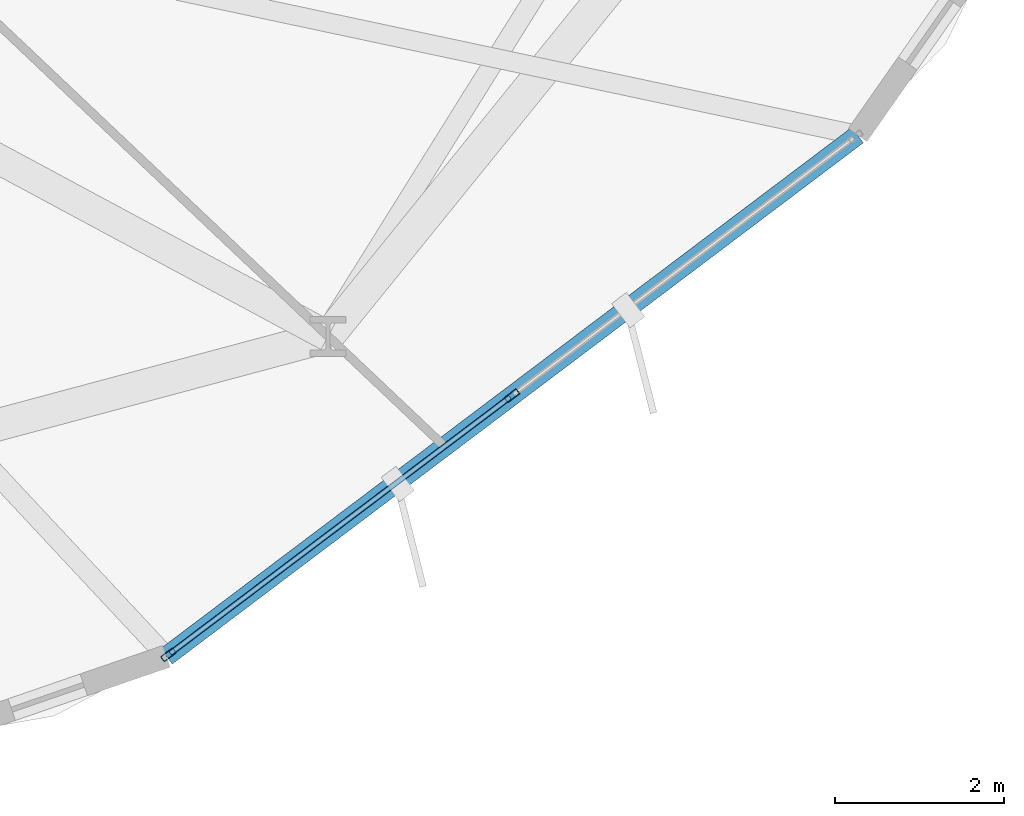
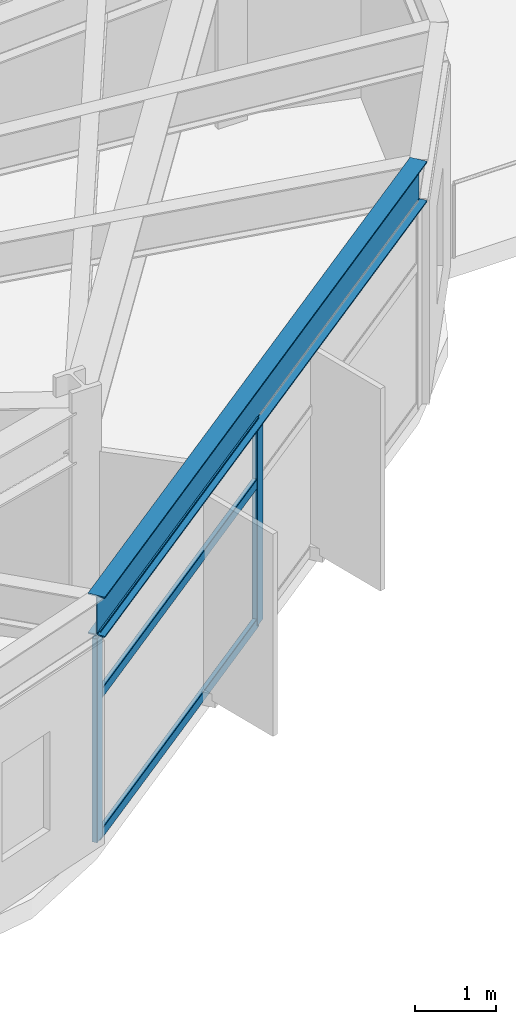
# One storey, part 6 of 23: 5 members, 1 beam, 1 element without a shape of its own.
"""IFC4 building model written with IfcOpenShell, lengths in metres."""

from ifc_helpers import new_model, si_unit, direction, frame, origin, origin_2d, place, context, subcontext, project, spatial, hollow_rectangle, i_section, extrude, material, layer, layer_set, material_profile, profile_set, type_object, element, aggregate, save


model = new_model("IFC4")

# Units and contexts
model_context = context("Model", 3, precision=1e-05, world=origin(), true_north=direction((0.0, 1.0)))
body_context = subcontext(model_context, "Body", "Model", "MODEL_VIEW")
ifc_project = project(units=[si_unit("LENGTHUNIT", "METRE"), si_unit("AREAUNIT", "SQUARE_METRE"), si_unit("VOLUMEUNIT", "CUBIC_METRE"), si_unit("PLANEANGLEUNIT", "RADIAN"), si_unit("MASSUNIT", "GRAM", prefix="KILO")], contexts=[model_context])

# Site, building, storey
site_placement = place(None, origin())
site = spatial("IfcSite", under=ifc_project, at=site_placement, CompositionType="ELEMENT")
building_placement = place(site_placement, origin())
building = spatial("IfcBuilding", under=site, at=building_placement, Name="Soratama Intermodal Tower", CompositionType="ELEMENT")
storey_placement = place(building_placement, frame((0.0, 0.0, 30.60009765625)))
storey = spatial("IfcBuildingStorey", under=building, at=storey_placement, Name="L06", CompositionType="ELEMENT", Elevation=30.60009765625)

# Beam
ifc_material_1 = material(Name="Structural steel ASTM A992 Grade 50", Category="steel")
ifc_material_profile_1 = material_profile(ifc_material_1, i_section(OverallWidth=0.22900390625, OverallDepth=0.612060546875, WebThickness=0.011962890625, FlangeThickness=0.01953125, FilletRadius=0.012939453125, at=origin_2d()), Name="W24X84")
ifc_profile_set_1 = profile_set([ifc_material_profile_1], Name="Structural steel ASTM A992 Grade 50")
beam_type = type_object("IfcBeamType", Name="BM-SPN-W24X84", PredefinedType="SPANDREL", material=ifc_profile_set_1)
beam_placement = place(storey_placement, frame((53.284912109375, 5.51806640625, 3.393798828125), z_axis=(0.798404955158, 0.602120857951, 0.0), x_axis=(-0.602120857951, 0.798404955158, 0.0)))
element("IfcBeam", 1, at=beam_placement, inside=storey, type_object=beam_type, Name="BS-L06-F09", PredefinedType="SPANDREL", context=body_context, shape_type="SweptSolid", body=[
    extrude(i_section(OverallWidth=0.22900390625, OverallDepth=0.612060546875, WebThickness=0.011962890625, FlangeThickness=0.01953125, FilletRadius=0.012939453125, at=origin_2d()), origin(), (0.0, 0.0, 1.0), 10.23046875),
])

# Curtain wall, members
ifc_material_2 = material(Name="Double-glazed aluminium curtain wall", Category="aluminium")
ifc_layer = layer(ifc_material_2, 0.159912109375)
ifc_layer_set = layer_set([ifc_layer], Name="Double-glazed aluminium curtain wall")
curtain_wall_type = type_object("IfcCurtainWallType", Name="CW-SYS-2", PredefinedType="NOTDEFINED", material=ifc_layer_set)
curtain_wall_placement = place(storey_placement, origin())
curtain_wall = element("IfcCurtainWall", 2, at=curtain_wall_placement, inside=storey, type_object=curtain_wall_type, Name="L06 Faceted Curtain Wall F09", PredefinedType="NOTDEFINED")
ifc_material_3 = material(Name="Anodised aluminium AA 6063-T6", Category="aluminium")
ifc_material_profile_2 = material_profile(ifc_material_3, hollow_rectangle(XDim=0.074951171875, YDim=0.179931640625, WallThickness=0.006103515625, InnerFilletRadius=0.006103515625, OuterFilletRadius=0.011962890625, at=origin_2d()), Name="CWM180X75X6")
ifc_profile_set_2 = profile_set([ifc_material_profile_2], Name="Anodised aluminium AA 6063-T6")
member_type_1 = type_object("IfcMemberType", Name="MT-CWM-2", PredefinedType="MULLION", material=ifc_profile_set_2)
member_1_placement = place(storey_placement, frame((53.30859375, 5.536376953125, 0.0), z_axis=(0.0, 0.0, 1.0), x_axis=(-0.602090543366, 0.798427816142, 0.0)))
member_1 = element("IfcMember", 3, at=member_1_placement, type_object=member_type_1, Name="CW-2 mullion 1", PredefinedType="MULLION", context=body_context, shape_type="SweptSolid", body=[
    extrude(hollow_rectangle(XDim=0.074951171875, YDim=0.179931640625, WallThickness=0.006103515625, InnerFilletRadius=0.006103515625, OuterFilletRadius=0.011962890625, at=origin_2d()), origin(), (0.0, 0.0, 1.0), 3.078857421875),
])
member_2_placement = place(storey_placement, frame((57.36865234375, 8.59814453125, 0.0), z_axis=(0.0, 0.0, 1.0), x_axis=(-0.602090543366, 0.798427816142, 0.0)))
member_2 = element("IfcMember", 4, at=member_2_placement, type_object=member_type_1, Name="CW-2 mullion 2", PredefinedType="MULLION", context=body_context, shape_type="SweptSolid", body=[
    extrude(hollow_rectangle(XDim=0.074951171875, YDim=0.179931640625, WallThickness=0.006103515625, InnerFilletRadius=0.006103515625, OuterFilletRadius=0.011962890625, at=origin_2d()), origin(), (0.0, 0.0, 1.0), 3.078857421875),
])
ifc_material_4 = material(Name="Anodised aluminium AA 6063-T6", Category="aluminium")
ifc_material_profile_3 = material_profile(ifc_material_4, hollow_rectangle(XDim=0.06494140625, YDim=0.14990234375, WallThickness=0.0048828125, InnerFilletRadius=0.0048828125, OuterFilletRadius=0.010009765625, at=origin_2d()), Name="CWT150X65X5")
ifc_profile_set_3 = profile_set([ifc_material_profile_3], Name="Anodised aluminium AA 6063-T6")
member_type_2 = type_object("IfcMemberType", Name="TT-CWT-1", PredefinedType="USERDEFINED", material=ifc_profile_set_3)
member_3_placement = place(storey_placement, frame((53.33251953125, 5.554443359375, 0.02978515625), z_axis=(0.798423137719, 0.602096747338, 0.0), x_axis=(-0.602096747338, 0.798423137719, 0.0)))
member_3 = element("IfcMember", 5, at=member_3_placement, type_object=member_type_2, Name="CW-2 transom 1.1", ObjectType="TRANSOM", PredefinedType="USERDEFINED", context=body_context, shape_type="SweptSolid", body=[
    extrude(hollow_rectangle(XDim=0.06494140625, YDim=0.14990234375, WallThickness=0.0048828125, InnerFilletRadius=0.0048828125, OuterFilletRadius=0.010009765625, at=origin_2d()), origin(), (0.0, 0.0, 1.0), 5.025146484375),
])
member_4_placement = place(storey_placement, frame((53.33251953125, 5.554443359375, 2.14990234375), z_axis=(0.798423137719, 0.602096747338, 0.0), x_axis=(-0.602096747338, 0.798423137719, 0.0)))
member_4 = element("IfcMember", 6, at=member_4_placement, type_object=member_type_2, Name="CW-2 transom 1.2", ObjectType="TRANSOM", PredefinedType="USERDEFINED", context=body_context, shape_type="SweptSolid", body=[
    extrude(hollow_rectangle(XDim=0.06494140625, YDim=0.14990234375, WallThickness=0.0048828125, InnerFilletRadius=0.0048828125, OuterFilletRadius=0.010009765625, at=origin_2d()), origin(), (0.0, 0.0, 1.0), 5.025146484375),
])
member_5_placement = place(storey_placement, frame((53.33251953125, 5.554443359375, 3.048828125), z_axis=(0.798423137719, 0.602096747338, 0.0), x_axis=(-0.602096747338, 0.798423137719, 0.0)))
member_5 = element("IfcMember", 7, at=member_5_placement, type_object=member_type_2, Name="CW-2 transom 1.3", ObjectType="TRANSOM", PredefinedType="USERDEFINED", context=body_context, shape_type="SweptSolid", body=[
    extrude(hollow_rectangle(XDim=0.06494140625, YDim=0.14990234375, WallThickness=0.0048828125, InnerFilletRadius=0.0048828125, OuterFilletRadius=0.010009765625, at=origin_2d()), origin(), (0.0, 0.0, 1.0), 5.025146484375),
])
aggregate(curtain_wall, [member_1, member_2, member_3, member_4, member_5])

save(model, "model.ifc")
